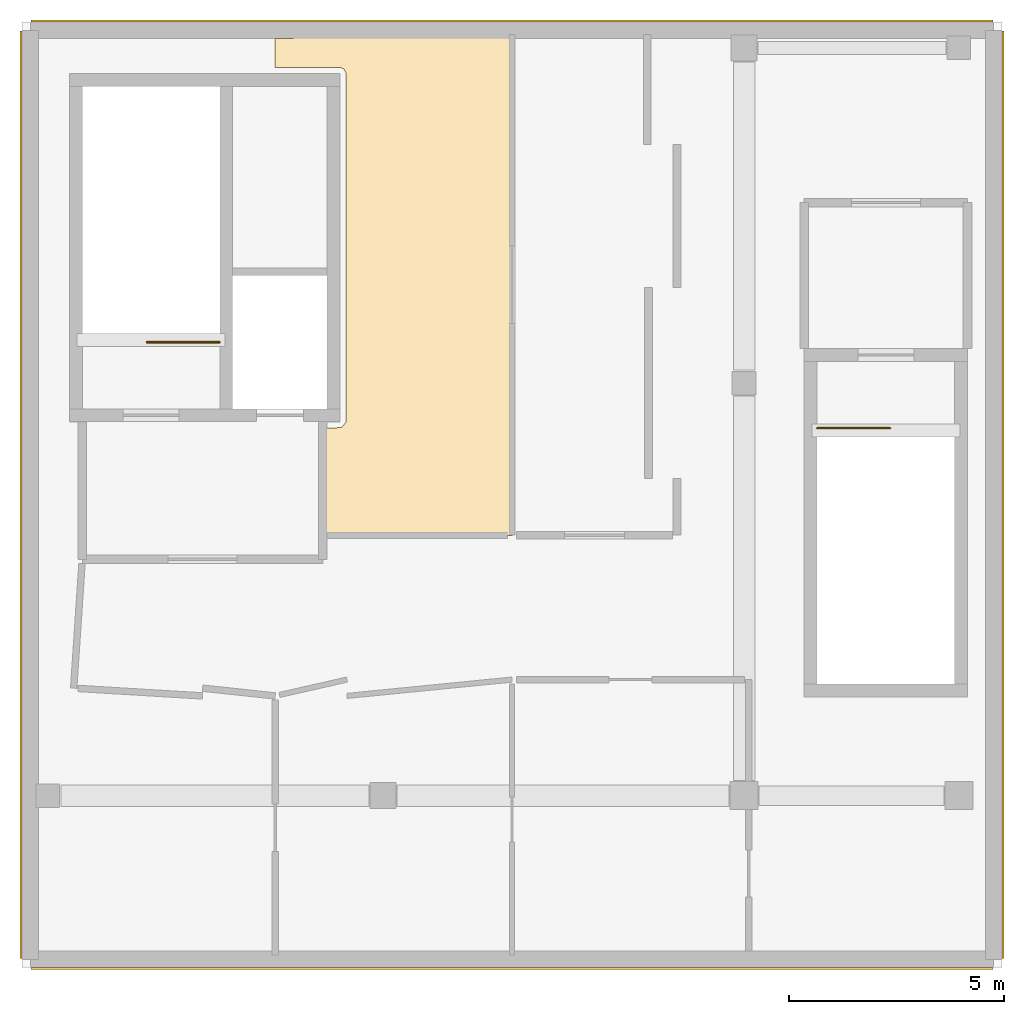
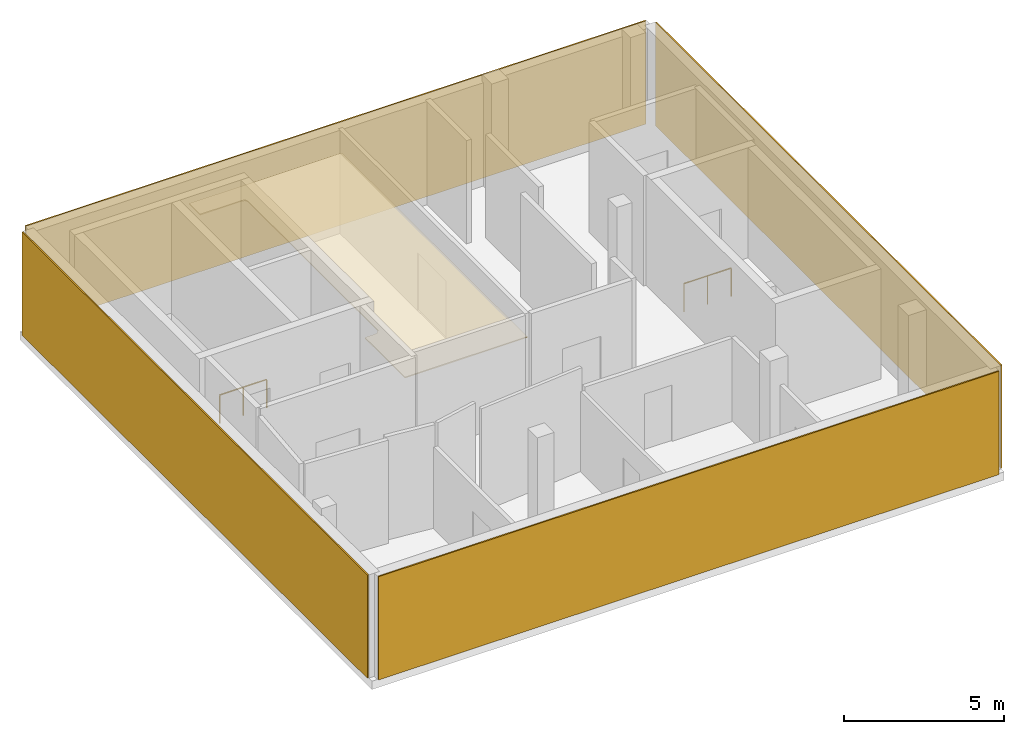
# One storey, part 3 of 3: 5 coverings, 2 railings.
"""IFC4 building model written with IfcOpenShell, lengths in metres."""

from ifc_helpers import new_model, si_unit, direction, frame, origin, origin_2d, place, context, subcontext, project, spatial, polyline, rectangle, circle, outline, extrude, material, layer, layer_set, type_object, element, save


model = new_model("IFC4")

# Units and contexts
model_context = context("Model", 3, precision=1e-05, world=origin(), true_north=direction((0.0, 1.0)))
body_context = subcontext(model_context, "Body", "Model", "MODEL_VIEW")
ifc_project = project(units=[si_unit("LENGTHUNIT", "METRE"), si_unit("AREAUNIT", "SQUARE_METRE"), si_unit("VOLUMEUNIT", "CUBIC_METRE"), si_unit("PLANEANGLEUNIT", "RADIAN"), si_unit("MASSUNIT", "GRAM", prefix="KILO")], contexts=[model_context])

# Site, building, storey
site_placement = place(None, origin())
site = spatial("IfcSite", under=ifc_project, at=site_placement, CompositionType="ELEMENT")
building_placement = place(site_placement, origin())
building = spatial("IfcBuilding", under=site, at=building_placement, Name="Mzevani Central Library", CompositionType="ELEMENT")
storey_placement = place(building_placement, frame((0.0, 0.0, 22.5)))
storey = spatial("IfcBuildingStorey", under=building, at=storey_placement, Name="L05", CompositionType="ELEMENT", Elevation=22.5)

# Railings
ifc_material_1 = material(Name="Brushed stainless steel rail", Category="steel")
railing_type = type_object("IfcRailingType", Name="Interior Gallery and Stair Guard 1100", PredefinedType="BALUSTRADE", material=ifc_material_1)
railing_1_placement = place(storey_placement, frame((17.0, 110.550048828125, 0.0)))
element("IfcRailing", 1, at=railing_1_placement, inside=storey, type_object=railing_type, Name="L05 ST-03 top well guard 1", PredefinedType="BALUSTRADE", context=body_context, shape_type="SweptSolid", body=[
    extrude(circle(Radius=0.02392578125, at=origin_2d()), frame((0.0, 0.0, 1.076171875), z_axis=(-1.0, 0.0, 0.0), x_axis=(0.0, -1.0, 0.0)), (0.0, 0.0, 1.0), 1.699951171875),
    extrude(circle(Radius=0.02099609375, at=origin_2d()), origin(), (0.0, 0.0, 1.0), 1.052001953125),
    extrude(circle(Radius=0.02099609375, at=origin_2d()), frame((-0.85009765625, 0.0, 0.0)), (0.0, 0.0, 1.0), 1.052001953125),
    extrude(circle(Radius=0.02099609375, at=origin_2d()), frame((-1.699951171875, 0.0, 0.0)), (0.0, 0.0, 1.0), 1.052001953125),
])
railing_2_placement = place(storey_placement, frame((30.89990234375, 108.550048828125, 0.0)))
element("IfcRailing", 2, at=railing_2_placement, inside=storey, type_object=railing_type, Name="L05 ST-04 top well guard 1", PredefinedType="BALUSTRADE", context=body_context, shape_type="SweptSolid", body=[
    extrude(circle(Radius=0.02392578125, at=origin_2d()), frame((0.0, 0.0, 1.076171875), z_axis=(1.0, 0.0, 0.0), x_axis=(0.0, 1.0, 0.0)), (0.0, 0.0, 1.0), 1.7001953125),
    extrude(circle(Radius=0.02099609375, at=origin_2d()), origin(), (0.0, 0.0, 1.0), 1.052001953125),
    extrude(circle(Radius=0.02099609375, at=origin_2d()), frame((0.85009765625, 0.0, 0.0)), (0.0, 0.0, 1.0), 1.052001953125),
    extrude(circle(Radius=0.02099609375, at=origin_2d()), frame((1.7001953125, 0.0, 0.0)), (0.0, 0.0, 1.0), 1.052001953125),
])

# Coverings
ifc_material_2 = material(Name="Limestone ashlar cladding", Category="masonry")
ifc_layer_1 = layer(ifc_material_2, 0.050048828125, Name="Limestone Ashlar Spandrel Cladding")
ifc_layer_set_1 = layer_set([ifc_layer_1], Name="Limestone ashlar cladding")
covering_type_1 = type_object("IfcCoveringType", Name="Limestone Ashlar Spandrel Cladding", PredefinedType="CLADDING", material=ifc_layer_set_1)
covering_1_placement = place(storey_placement, frame((23.800048828125, 95.97607421875, 0.0), z_axis=(0.0, 0.0, 1.0), x_axis=(-1.0, 0.0, 0.0)))
element("IfcCovering", 3, at=covering_1_placement, inside=storey, type_object=covering_type_1, Name="L05 Warm-White Facade Cladding (EW4-V2-L05-0036)", PredefinedType="CLADDING", context=body_context, shape_type="SweptSolid", body=[
    extrude(rectangle(XDim=22.3798828125, YDim=0.050048828125, at=origin_2d()), origin(), (0.0, 0.0, 1.0), 3.93994140625),
])
covering_2_placement = place(storey_placement, frame((12.3759765625, 107.0, 0.0), z_axis=(0.0, 0.0, 1.0), x_axis=(0.0, 1.0, 0.0)))
element("IfcCovering", 4, at=covering_2_placement, inside=storey, type_object=covering_type_1, Name="L05 Warm-White Facade Cladding (EW4-V2-L05-0037)", PredefinedType="CLADDING", context=body_context, shape_type="SweptSolid", body=[
    extrude(rectangle(XDim=21.580078125, YDim=0.050048828125, at=origin_2d()), origin(), (0.0, 0.0, 1.0), 3.93994140625),
])
covering_3_placement = place(storey_placement, frame((23.800048828125, 118.02392578125, 0.0), z_axis=(0.0, 0.0, 1.0), x_axis=(1.0, 0.0, 0.0)))
element("IfcCovering", 5, at=covering_3_placement, inside=storey, type_object=covering_type_1, Name="L05 Warm-White Facade Cladding (EW4-V2-L05-0038)", PredefinedType="CLADDING", context=body_context, shape_type="SweptSolid", body=[
    extrude(rectangle(XDim=22.3798828125, YDim=0.050048828125, at=origin_2d()), origin(), (0.0, 0.0, 1.0), 3.93994140625),
])
covering_4_placement = place(storey_placement, frame((35.22412109375, 107.0, 0.0), z_axis=(0.0, 0.0, 1.0), x_axis=(0.0, -1.0, 0.0)))
element("IfcCovering", 6, at=covering_4_placement, inside=storey, type_object=covering_type_1, Name="L05 Warm-White Facade Cladding (EW4-V2-L05-0039)", PredefinedType="CLADDING", context=body_context, shape_type="SweptSolid", body=[
    extrude(rectangle(XDim=21.580078125, YDim=0.050048828125, at=origin_2d()), origin(), (0.0, 0.0, 1.0), 3.93994140625),
])
ifc_material_3 = material(Name="Mineral wool acoustic ceiling")
ifc_layer_2 = layer(ifc_material_3, 0.0400390625, Name="Perforated Timber Acoustic Ceiling")
ifc_layer_set_2 = layer_set([ifc_layer_2], Name="Mineral wool acoustic ceiling")
covering_type_2 = type_object("IfcCoveringType", Name="Perforated Timber Acoustic Ceiling", PredefinedType="CEILING", material=ifc_layer_set_2)
covering_5_placement = place(storey_placement, frame((0.0, 0.0, 3.010009765625)))
element("IfcCovering", 7, at=covering_5_placement, inside=storey, type_object=covering_type_2, Name="L05 Rare Periodicals Reading Room Acoustic Ceiling", PredefinedType="CEILING", context=body_context, shape_type="SweptSolid", body=[
    extrude(outline(polyline([(23.802001953125, 117.6298828125), (23.80908203125, 106.05615234375), (19.396240234375, 106.05078125), (19.39013671875, 108.552001953125), (19.82470703125, 108.56298828125), (19.939208984375, 108.689208984375), (19.939208984375, 116.8125), (19.898681640625, 116.898681640625), (19.8125, 116.939208984375), (18.285400390625, 116.941162109375), (18.28076171875, 117.623779296875), (23.802001953125, 117.6298828125)])), origin(), (0.0, 0.0, 1.0), 0.0400390625),
])

save(model, "model.ifc")
